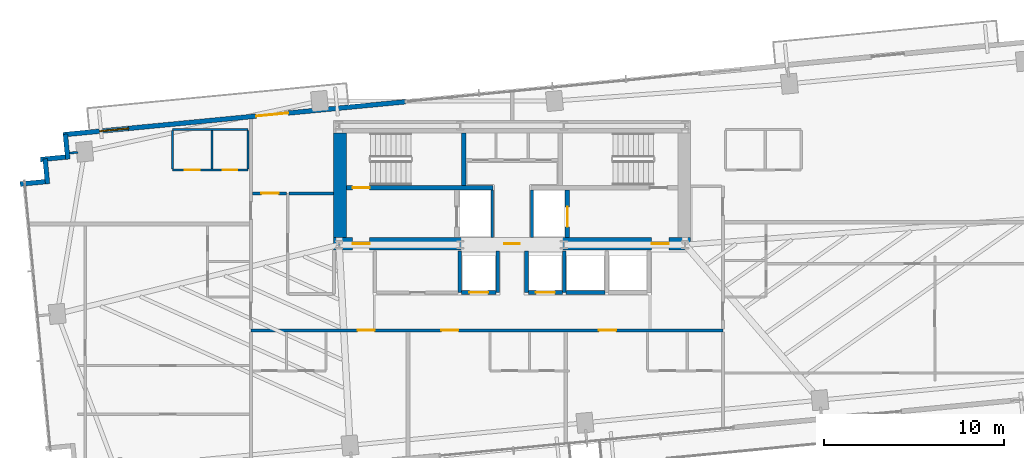
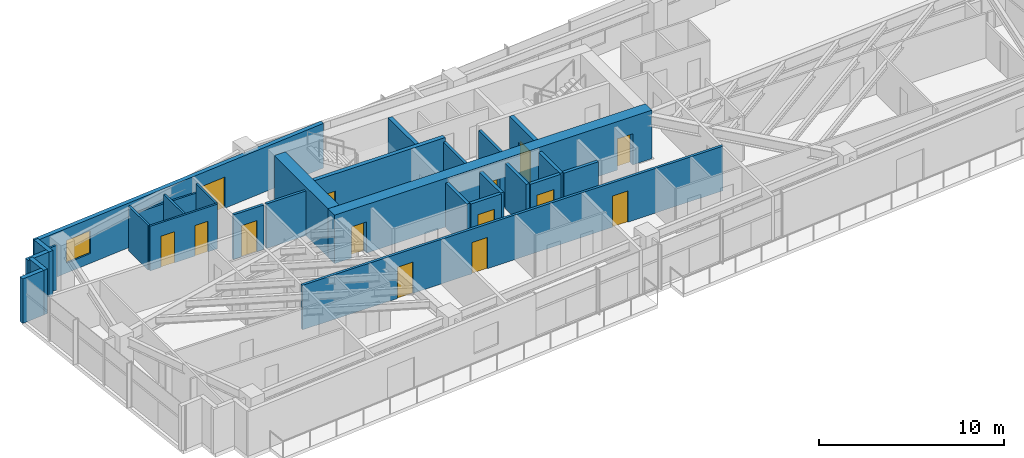
# One storey, part 22 of 27: 28 walls, 14 doors, 1 window, 15 openings.
"""IFC4 building model written with IfcOpenShell, lengths in metres."""

from ifc_helpers import new_model, si_unit, direction, frame, frame_2d, origin, place, context, subcontext, project, spatial, rectangle, extrude, source, transform, mapped, material, layer, layer_set, type_object, type_shapes, element, fill, save


model = new_model("IFC4")

# Units and contexts
model_context = context("Model", 3, precision=1e-05, world=origin(), true_north=direction((0.0, 1.0)))
body_context = subcontext(model_context, "Body", "Model", "MODEL_VIEW")
ifc_project = project(units=[si_unit("LENGTHUNIT", "METRE"), si_unit("AREAUNIT", "SQUARE_METRE"), si_unit("VOLUMEUNIT", "CUBIC_METRE"), si_unit("PLANEANGLEUNIT", "RADIAN"), si_unit("MASSUNIT", "GRAM", prefix="KILO")], contexts=[model_context])

# Site, building, storey
site_placement = place(None, origin())
site = spatial("IfcSite", under=ifc_project, at=site_placement, CompositionType="ELEMENT")
building_placement = place(site_placement, origin())
building = spatial("IfcBuilding", under=site, at=building_placement, Name="Astriad Promenade Condominiums", CompositionType="ELEMENT")
storey_placement = place(building_placement, frame((0.0, 0.0, 109.800048828125)))
storey = spatial("IfcBuildingStorey", under=building, at=storey_placement, Name="L31", CompositionType="ELEMENT", Elevation=109.800048828125)

# Wall, openings, doors
ifc_material_1 = material(Name="Concrete C60/75", Category="concrete")
ifc_layer_1 = layer(ifc_material_1, 0.699951171875)
ifc_layer_set_1 = layer_set([ifc_layer_1], Name="Concrete C60/75")
wall_type_1 = type_object("IfcWallType", Name="CW-SHEAR-700", PredefinedType="SHEAR", material=ifc_layer_set_1)
wall_1_placement = place(storey_placement, frame((26.10009765625, 17.449951171875, 0.0), z_axis=(0.0, 0.0, 1.0), x_axis=(1.0, 0.0, 0.0)))
wall_1 = element("IfcWall", 1, at=wall_1_placement, inside=storey, type_object=wall_type_1, Name="CW-CORE-S-L31", PredefinedType="SHEAR", context=body_context, shape_type="SweptSolid", body=[
    extrude(rectangle(XDim=19.7998046875, YDim=0.699951171875, at=frame_2d((9.89990234375, 0.0))), origin(), (0.0, 0.0, 1.0), 3.199951171875),
])
opening_1_placement = place(wall_1_placement, frame((1.050048828125, 0.0, 0.0)))
opening_1 = element("IfcOpeningElement", 2, at=opening_1_placement, cuts=wall_1, Name="Opening FD90-ST-095", PredefinedType="OPENING", context=body_context, shape_type="SweptSolid", body=[
    extrude(rectangle(XDim=0.949951171875, YDim=2.06005859375, at=frame_2d((0.47509765625, 1.030029296875))), frame((0.0, 0.35986328125, 0.0), z_axis=(0.0, -1.0, 0.0), x_axis=(1.0, 0.0, 0.0)), (0.0, 0.0, 1.0), 0.719970703125),
])
opening_2_placement = place(wall_1_placement, frame((9.47998046875, 0.0, 0.0)))
opening_2 = element("IfcOpeningElement", 3, at=opening_2_placement, cuts=wall_1, Name="Opening FD60-ULOW-085", PredefinedType="OPENING", context=body_context, shape_type="SweptSolid", body=[
    extrude(rectangle(XDim=0.85009765625, YDim=2.0, at=frame_2d((0.425048828125, 1.0))), frame((0.0, 0.35986328125, 0.0), z_axis=(0.0, -1.0, 0.0), x_axis=(1.0, 0.0, 0.0)), (0.0, 0.0, 1.0), 0.719970703125),
])
opening_3_placement = place(wall_1_placement, frame((17.64990234375, 0.0, 0.0)))
opening_3 = element("IfcOpeningElement", 4, at=opening_3_placement, cuts=wall_1, Name="Opening FD90-ST-095", PredefinedType="OPENING", context=body_context, shape_type="SweptSolid", body=[
    extrude(rectangle(XDim=0.949951171875, YDim=2.06005859375, at=frame_2d((0.47509765625, 1.030029296875))), frame((0.0, 0.35986328125, 0.0), z_axis=(0.0, -1.0, 0.0), x_axis=(1.0, 0.0, 0.0)), (0.0, 0.0, 1.0), 0.719970703125),
])
ifc_material_2 = material(Name="Fire-Rated Hollow Metal Stair Door")
door_type_1 = type_object("IfcDoorType", Name="FD90-ST-095", OperationType="NOTDEFINED", PredefinedType="DOOR", material=ifc_material_2)
shared_shape_1 = source(origin(), body_context, "Body", "SweptSolid", [
    extrude(rectangle(XDim=0.949951171875, YDim=2.06005859375, at=frame_2d((0.47509765625, 1.030029296875))), frame((0.0, 0.02490234375, 0.0), z_axis=(0.0, -1.0, 0.0), x_axis=(1.0, 0.0, 0.0)), (0.0, 0.0, 1.0), 0.050048828125),
])
type_shapes(door_type_1, [shared_shape_1])
door_1_placement = place(opening_1_placement, origin())
door_1 = element("IfcDoor", 5, at=door_1_placement, inside=storey, type_object=door_type_1, Name="D-FFW-L31", OperationType="SINGLE_SWING_LEFT", OverallHeight=2.06005859375, OverallWidth=0.949951171875, PredefinedType="DOOR", context=body_context, shape_type="MappedRepresentation", body=[
    mapped(shared_shape_1, transform((0.0, 0.0, 0.0), scale=1.0)),
])
fill(opening_1, door_1)
door_2_placement = place(opening_3_placement, origin())
door_2 = element("IfcDoor", 6, at=door_2_placement, inside=storey, type_object=door_type_1, Name="D-FFE-L31", OperationType="SINGLE_SWING_RIGHT", OverallHeight=2.06005859375, OverallWidth=0.949951171875, PredefinedType="DOOR", context=body_context, shape_type="MappedRepresentation", body=[
    mapped(shared_shape_1, transform((0.0, 0.0, 0.0), scale=1.0)),
])
fill(opening_3, door_2)
ifc_material_3 = material(Name="Solid-Core Low-Headroom Fire Door")
door_type_2 = type_object("IfcDoorType", Name="FD60-ULOW-085", OperationType="NOTDEFINED", PredefinedType="DOOR", material=ifc_material_3)
shared_shape_2 = source(origin(), body_context, "Body", "SweptSolid", [
    extrude(rectangle(XDim=0.85009765625, YDim=2.0, at=frame_2d((0.425048828125, 1.0))), frame((0.0, 0.02490234375, 0.0), z_axis=(0.0, -1.0, 0.0), x_axis=(1.0, 0.0, 0.0)), (0.0, 0.0, 1.0), 0.050048828125),
])
type_shapes(door_type_2, [shared_shape_2])
door_3_placement = place(opening_2_placement, origin())
door_3 = element("IfcDoor", 7, at=door_3_placement, inside=storey, type_object=door_type_2, Name="D-CSL-L31", OperationType="SINGLE_SWING_RIGHT", OverallHeight=2.0, OverallWidth=0.85009765625, PredefinedType="DOOR", context=body_context, shape_type="MappedRepresentation", body=[
    mapped(shared_shape_2, transform((0.0, 0.0, 0.0), scale=1.0)),
])
fill(opening_2, door_3)

# Wall
wall_2_placement = place(storey_placement, frame((26.449951171875, 17.802001953125, 0.0), z_axis=(0.0, 0.0, 1.0), x_axis=(0.0, 1.0, 0.0)))
element("IfcWall", 8, at=wall_2_placement, inside=storey, type_object=wall_type_1, Name="CW-CORE-W-L31", PredefinedType="SHEAR", context=body_context, shape_type="SweptSolid", body=[
    extrude(rectangle(XDim=5.7958984375, YDim=0.699951171875, at=frame_2d((2.89794921875, 0.0))), origin(), (0.0, 0.0, 1.0), 3.199951171875),
])

# Wall, opening, door
ifc_material_4 = material(Name="Concrete C50/60", Category="concrete")
ifc_layer_2 = layer(ifc_material_4, 0.25)
ifc_layer_set_2 = layer_set([ifc_layer_2], Name="Concrete C50/60")
wall_type_2 = type_object("IfcWallType", Name="WALL-CORE-INT-250", PredefinedType="SOLIDWALL", material=ifc_layer_set_2)
wall_3_placement = place(storey_placement, frame((26.802001953125, 20.574951171875, 0.0), z_axis=(0.0, 0.0, 1.0), x_axis=(1.0, 0.0, 0.0)))
wall_3 = element("IfcWall", 9, at=wall_3_placement, inside=storey, type_object=wall_type_2, Name="CW-INT-H1-L31", PredefinedType="SOLIDWALL", context=body_context, shape_type="SweptSolid", body=[
    extrude(rectangle(XDim=8.14794921875, YDim=0.25, at=frame_2d((4.073974609375, 0.0))), origin(), (0.0, 0.0, 1.0), 3.199951171875),
])
opening_4_placement = place(wall_3_placement, frame((0.347900390625, 0.0, 0.0)))
opening_4 = element("IfcOpeningElement", 10, at=opening_4_placement, cuts=wall_3, Name="Opening FD90-ST-095", PredefinedType="OPENING", context=body_context, shape_type="SweptSolid", body=[
    extrude(rectangle(XDim=0.949951171875, YDim=2.06005859375, at=frame_2d((0.47509765625, 1.030029296875))), frame((0.0, 0.135009765625, 0.0), z_axis=(0.0, -1.0, 0.0), x_axis=(1.0, 0.0, 0.0)), (0.0, 0.0, 1.0), 0.27001953125),
])
door_4_placement = place(opening_4_placement, origin())
door_4 = element("IfcDoor", 11, at=door_4_placement, inside=storey, type_object=door_type_1, Name="D-ST1-L31", OperationType="SINGLE_SWING_RIGHT", OverallHeight=2.06005859375, OverallWidth=0.949951171875, PredefinedType="DOOR", context=body_context, shape_type="MappedRepresentation", body=[
    mapped(shared_shape_1, transform((0.0, 0.0, 0.0), scale=1.0)),
])
fill(opening_4, door_4)

# Wall
wall_4_placement = place(storey_placement, frame((33.324951171875, 20.701904296875, 0.0), z_axis=(0.0, 0.0, 1.0), x_axis=(0.0, 1.0, 0.0)))
element("IfcWall", 12, at=wall_4_placement, inside=storey, type_object=wall_type_2, Name="CW-ST1-E-L31", PredefinedType="SOLIDWALL", context=body_context, shape_type="SweptSolid", body=[
    extrude(rectangle(XDim=2.89599609375, YDim=0.25, at=frame_2d((1.447998046875, 0.0))), origin(), (0.0, 0.0, 1.0), 3.199951171875),
])

# Wall, opening, door
wall_5_placement = place(storey_placement, frame((39.074951171875, 17.802001953125, 0.0), z_axis=(0.0, 0.0, 1.0), x_axis=(0.0, 1.0, 0.0)))
wall_5 = element("IfcWall", 13, at=wall_5_placement, inside=storey, type_object=wall_type_2, Name="CW-FFL2-E-L31", PredefinedType="SOLIDWALL", context=body_context, shape_type="SweptSolid", body=[
    extrude(rectangle(XDim=2.64599609375, YDim=0.25, at=frame_2d((1.322998046875, 0.0))), origin(), (0.0, 0.0, 1.0), 3.199951171875),
])
opening_5_placement = place(wall_5_placement, frame((0.597900390625, 0.0, 0.0)))
opening_5 = element("IfcOpeningElement", 14, at=opening_5_placement, cuts=wall_5, Name="Opening LD-FFL-1122", PredefinedType="OPENING", context=body_context, shape_type="SweptSolid", body=[
    extrude(rectangle(XDim=1.10009765625, YDim=2.080078125, at=frame_2d((0.550048828125, 1.0400390625))), frame((0.0, 0.135009765625, 0.0), z_axis=(0.0, -1.0, 0.0), x_axis=(1.0, 0.0, 0.0)), (0.0, 0.0, 1.0), 0.27001953125),
])
ifc_material_5 = material(Name="Brushed Stainless Steel Fire Elevator Landing Door", Category="steel")
door_type_3 = type_object("IfcDoorType", Name="LD-FFL-1122", OperationType="NOTDEFINED", PredefinedType="DOOR", material=ifc_material_5)
shared_shape_3 = source(origin(), body_context, "Body", "SweptSolid", [
    extrude(rectangle(XDim=1.10009765625, YDim=2.080078125, at=frame_2d((0.550048828125, 1.0400390625))), frame((0.0, 0.02490234375, 0.0), z_axis=(0.0, -1.0, 0.0), x_axis=(1.0, 0.0, 0.0)), (0.0, 0.0, 1.0), 0.050048828125),
])
type_shapes(door_type_3, [shared_shape_3])
door_5_placement = place(opening_5_placement, origin())
door_5 = element("IfcDoor", 15, at=door_5_placement, inside=storey, type_object=door_type_3, Name="Elevator Landing Door FFL-2 (L31)", OperationType="SLIDING_TO_RIGHT", OverallHeight=2.080078125, OverallWidth=1.10009765625, PredefinedType="DOOR", context=body_context, shape_type="MappedRepresentation", body=[
    mapped(shared_shape_3, transform((0.0, 0.0, 0.0), scale=1.0)),
])
fill(opening_5, door_5)

# Walls
ifc_material_6 = material(Name="Fire-Rated Gypsum Partition")
ifc_layer_3 = layer(ifc_material_6, 0.159912109375)
ifc_layer_set_3 = layer_set([ifc_layer_3], Name="Fire-Rated Gypsum Partition")
wall_type_3 = type_object("IfcWallType", Name="WALL-CORR-160", PredefinedType="PARTITIONING", material=ifc_layer_set_3)
for number, where, z_axis, x_axis, name in (
    (16, (34.89990234375, 17.802001953125, 0.0), (0.0, 0.0, 1.0), (0.0, 1.0, 0.0), "CW-FFL1-E-L31"),
    (17, (37.10009765625, 17.802001953125, 0.0), (0.0, 0.0, 1.0), (0.0, 1.0, 0.0), "CW-FFL2-W-L31"),
):
    element("IfcWall", number, at=place(storey_placement, frame(where, z_axis=z_axis, x_axis=x_axis)), inside=storey, type_object=wall_type_3, Name=name, PredefinedType="PARTITIONING", context=body_context, shape_type="SweptSolid", body=[
        extrude(rectangle(XDim=2.64599609375, YDim=0.159912109375, at=frame_2d((1.322998046875, 0.0))), origin(), (0.0, 0.0, 1.0), 2.93994140625),
    ])

# Wall, openings, doors
wall_6_placement = place(storey_placement, frame((21.5, 12.64990234375, 0.0), z_axis=(0.0, 0.0, 1.0), x_axis=(1.0, 0.0, 0.0)))
wall_6 = element("IfcWall", 18, at=wall_6_placement, inside=storey, type_object=wall_type_3, Name="PT-COR-S-L31", PredefinedType="PARTITIONING", context=body_context, shape_type="SweptSolid", body=[
    extrude(rectangle(XDim=26.199951171875, YDim=0.159912109375, at=frame_2d((13.10009765625, 0.0))), origin(), (0.0, 0.0, 1.0), 2.93994140625),
])
opening_6_placement = place(wall_6_placement, frame((5.927001953125, 0.0, 0.0)))
opening_6 = element("IfcOpeningElement", 19, at=opening_6_placement, cuts=wall_6, Name="Opening FD60-APT-095", PredefinedType="OPENING", context=body_context, shape_type="SweptSolid", body=[
    extrude(rectangle(XDim=0.949951171875, YDim=2.06005859375, at=frame_2d((0.47509765625, 1.030029296875))), frame((0.0, 0.08984375, 0.0), z_axis=(0.0, -1.0, 0.0), x_axis=(1.0, 0.0, 0.0)), (0.0, 0.0, 1.0), 0.179931640625),
])
opening_7_placement = place(wall_6_placement, frame((10.574951171875, 0.0, 0.0)))
opening_7 = element("IfcOpeningElement", 20, at=opening_7_placement, cuts=wall_6, Name="Opening FD60-APT-095", PredefinedType="OPENING", context=body_context, shape_type="SweptSolid", body=[
    extrude(rectangle(XDim=0.949951171875, YDim=2.06005859375, at=frame_2d((0.47509765625, 1.030029296875))), frame((0.0, 0.08984375, 0.0), z_axis=(0.0, -1.0, 0.0), x_axis=(1.0, 0.0, 0.0)), (0.0, 0.0, 1.0), 0.179931640625),
])
opening_8_placement = place(wall_6_placement, frame((19.322021484375, 0.0, 0.0)))
opening_8 = element("IfcOpeningElement", 21, at=opening_8_placement, cuts=wall_6, Name="Opening FD60-APT-095", PredefinedType="OPENING", context=body_context, shape_type="SweptSolid", body=[
    extrude(rectangle(XDim=0.949951171875, YDim=2.06005859375, at=frame_2d((0.47509765625, 1.030029296875))), frame((0.0, 0.08984375, 0.0), z_axis=(0.0, -1.0, 0.0), x_axis=(1.0, 0.0, 0.0)), (0.0, 0.0, 1.0), 0.179931640625),
])
ifc_material_7 = material(Name="Solid-Core Acoustic Timber Residence Entry Door", Category="wood")
door_type_4 = type_object("IfcDoorType", Name="FD60-APT-095", OperationType="NOTDEFINED", PredefinedType="DOOR", material=ifc_material_7)
shared_shape_4 = source(origin(), body_context, "Body", "SweptSolid", [
    extrude(rectangle(XDim=0.949951171875, YDim=2.06005859375, at=frame_2d((0.47509765625, 1.030029296875))), frame((0.0, 0.02490234375, 0.0), z_axis=(0.0, -1.0, 0.0), x_axis=(1.0, 0.0, 0.0)), (0.0, 0.0, 1.0), 0.050048828125),
])
type_shapes(door_type_4, [shared_shape_4])
door_6_placement = place(opening_6_placement, origin())
door_6 = element("IfcDoor", 22, at=door_6_placement, inside=storey, type_object=door_type_4, Name="D-ENT-L31-S1", OperationType="SINGLE_SWING_RIGHT", OverallHeight=2.06005859375, OverallWidth=0.949951171875, PredefinedType="DOOR", context=body_context, shape_type="MappedRepresentation", body=[
    mapped(shared_shape_4, transform((0.0, 0.0, 0.0), scale=1.0)),
])
fill(opening_6, door_6)
door_7_placement = place(opening_7_placement, origin())
door_7 = element("IfcDoor", 23, at=door_7_placement, inside=storey, type_object=door_type_4, Name="D-ENT-L31-S2", OperationType="SINGLE_SWING_LEFT", OverallHeight=2.06005859375, OverallWidth=0.949951171875, PredefinedType="DOOR", context=body_context, shape_type="MappedRepresentation", body=[
    mapped(shared_shape_4, transform((0.0, 0.0, 0.0), scale=1.0)),
])
fill(opening_7, door_7)
door_8_placement = place(opening_8_placement, origin())
door_8 = element("IfcDoor", 24, at=door_8_placement, inside=storey, type_object=door_type_4, Name="D-ENT-L31-S3", OperationType="SINGLE_SWING_RIGHT", OverallHeight=2.06005859375, OverallWidth=0.949951171875, PredefinedType="DOOR", context=body_context, shape_type="MappedRepresentation", body=[
    mapped(shared_shape_4, transform((0.0, 0.0, 0.0), scale=1.0)),
])
fill(opening_8, door_8)

# Wall, opening, door
wall_7_placement = place(storey_placement, frame((21.58203125, 20.25, 0.0), z_axis=(0.0, 0.0, 1.0), x_axis=(1.0, 0.0, 0.0)))
wall_7 = element("IfcWall", 25, at=wall_7_placement, inside=storey, type_object=wall_type_3, Name="PT-HK-N-L31", PredefinedType="PARTITIONING", context=body_context, shape_type="SweptSolid", body=[
    extrude(rectangle(XDim=1.885986328125, YDim=0.159912109375, at=frame_2d((0.94287109375, 0.0))), origin(), (0.0, 0.0, 1.0), 2.93994140625),
])
opening_9_placement = place(wall_7_placement, frame((0.508056640625, 0.0, 0.0)))
opening_9 = element("IfcOpeningElement", 26, at=opening_9_placement, cuts=wall_7, Name="Opening FD60-APT-095", PredefinedType="OPENING", context=body_context, shape_type="SweptSolid", body=[
    extrude(rectangle(XDim=0.949951171875, YDim=2.06005859375, at=frame_2d((0.47509765625, 1.030029296875))), frame((0.0, 0.08984375, 0.0), z_axis=(0.0, -1.0, 0.0), x_axis=(1.0, 0.0, 0.0)), (0.0, 0.0, 1.0), 0.179931640625),
])
door_9_placement = place(opening_9_placement, origin())
door_9 = element("IfcDoor", 27, at=door_9_placement, inside=storey, type_object=door_type_4, Name="D-HKB-L31", OperationType="SINGLE_SWING_LEFT", OverallHeight=2.06005859375, OverallWidth=0.949951171875, PredefinedType="DOOR", context=body_context, shape_type="MappedRepresentation", body=[
    mapped(shared_shape_4, transform((0.0, 0.0, 0.0), scale=1.0)),
])
fill(opening_9, door_9)

# Walls
wall_8_placement = place(storey_placement, frame((23.632080078125, 20.25, 0.0), z_axis=(0.0, 0.0, 1.0), x_axis=(1.0, 0.0, 0.0)))
element("IfcWall", 28, at=wall_8_placement, inside=storey, type_object=wall_type_3, Name="PT-HK-N-L31-S2", PredefinedType="PARTITIONING", context=body_context, shape_type="SweptSolid", body=[
    extrude(rectangle(XDim=2.4658203125, YDim=0.159912109375, at=frame_2d((1.23291015625, 0.0))), origin(), (0.0, 0.0, 1.0), 2.93994140625),
])
ifc_material_8 = material(Name="Precast concrete C50/60", Category="concrete")
ifc_layer_4 = layer(ifc_material_8, 0.260009765625)
ifc_layer_set_4 = layer_set([ifc_layer_4], Name="Precast concrete C50/60")
wall_type_4 = type_object("IfcWallType", Name="WALL-EXT-TWR-260", PredefinedType="STANDARD", material=ifc_layer_set_4)
for number, where, z_axis, x_axis, name in (
    (29, (8.701416015625, 20.767333984375, 0.0), (0.0, 0.0, 1.0), (0.995391056452, 0.09589913835, 0.0), "W-SER-L31-04"),
    (30, (10.216796875, 20.78271484375, 0.0), (0.0, 0.0, 1.0), (-0.095725744959, 0.99540774648, 0.0), "W-SER-L31-05"),
):
    element("IfcWall", number, at=place(storey_placement, frame(where, z_axis=z_axis, x_axis=x_axis)), inside=storey, type_object=wall_type_4, Name=name, PredefinedType="STANDARD", context=body_context, shape_type="SweptSolid", body=[
        extrude(rectangle(XDim=1.39501953125, YDim=0.260009765625, at=frame_2d((0.697509765625, 0.0))), origin(), (0.0, 0.0, 1.0), 2.93994140625),
    ])
wall_9_placement = place(storey_placement, frame((9.825927734375, 22.13134765625, 0.0), z_axis=(0.0, 0.0, 1.0), x_axis=(0.995389446633, 0.095915846097, 0.0)))
element("IfcWall", 31, at=wall_9_placement, inside=storey, type_object=wall_type_4, Name="W-SER-L31-06", PredefinedType="STANDARD", context=body_context, shape_type="SweptSolid", body=[
    extrude(rectangle(XDim=1.394775390625, YDim=0.260009765625, at=frame_2d((0.697265625, 0.0))), origin(), (0.0, 0.0, 1.0), 2.93994140625),
])
wall_10_placement = place(storey_placement, frame((11.34130859375, 22.146728515625, 0.0), z_axis=(0.0, 0.0, 1.0), x_axis=(-0.09589913835, 0.995391056452, 0.0)))
element("IfcWall", 32, at=wall_10_placement, inside=storey, type_object=wall_type_4, Name="W-SER-L31-07", PredefinedType="STANDARD", context=body_context, shape_type="SweptSolid", body=[
    extrude(rectangle(XDim=1.39501953125, YDim=0.260009765625, at=frame_2d((0.697509765625, 0.0))), origin(), (0.0, 0.0, 1.0), 2.93994140625),
])

# Wall, openings, door, window
wall_11_placement = place(storey_placement, frame((11.07958984375, 23.508056640625, 0.0), z_axis=(0.0, 0.0, 1.0), x_axis=(0.995396638587, 0.095841180552, 0.0)))
wall_11 = element("IfcWall", 33, at=wall_11_placement, inside=storey, type_object=wall_type_4, Name="W-EXT-L31-N1", PredefinedType="STANDARD", context=body_context, shape_type="SweptSolid", body=[
    extrude(rectangle(XDim=19.110107421875, YDim=0.260009765625, at=frame_2d((9.55517578125, 0.0))), origin(), (0.0, 0.0, 1.0), 2.93994140625),
])
opening_10_placement = place(wall_11_placement, frame((10.763916015625, 0.0, 0.0)))
opening_10 = element("IfcOpeningElement", 34, at=opening_10_placement, cuts=wall_11, Name="Opening BD-1822-SLD", PredefinedType="OPENING", context=body_context, shape_type="SweptSolid", body=[
    extrude(rectangle(XDim=1.800048828125, YDim=2.06005859375, at=frame_2d((0.89990234375, 1.030029296875))), frame((0.0, 0.139892578125, 0.0), z_axis=(0.0, -1.0, 0.0), x_axis=(1.0, 0.0, 0.0)), (0.0, 0.0, 1.0), 0.280029296875),
])
opening_11_placement = place(wall_11_placement, frame((2.050048828125, 0.0, 0.64990234375)))
opening_11 = element("IfcOpeningElement", 35, at=opening_11_placement, cuts=wall_11, Name="Opening WIN-TWR-1620", PredefinedType="OPENING", context=body_context, shape_type="SweptSolid", body=[
    extrude(rectangle(XDim=1.60009765625, YDim=1.5, at=frame_2d((0.800048828125, 0.75))), frame((0.0, 0.139892578125, 0.0), z_axis=(0.0, -1.0, 0.0), x_axis=(1.0, 0.0, 0.0)), (0.0, 0.0, 1.0), 0.280029296875),
])
ifc_material_9 = material(Name="Thermally Broken Aluminium Sliding Balcony Door", Category="aluminium")
door_type_5 = type_object("IfcDoorType", Name="BD-1822-SLD", OperationType="NOTDEFINED", PredefinedType="DOOR", material=ifc_material_9)
shared_shape_5 = source(origin(), body_context, "Body", "SweptSolid", [
    extrude(rectangle(XDim=1.800048828125, YDim=2.06005859375, at=frame_2d((0.89990234375, 1.030029296875))), frame((0.0, 0.02490234375, 0.0), z_axis=(0.0, -1.0, 0.0), x_axis=(1.0, 0.0, 0.0)), (0.0, 0.0, 1.0), 0.050048828125),
])
type_shapes(door_type_5, [shared_shape_5])
door_10_placement = place(opening_10_placement, origin())
door_10 = element("IfcDoor", 36, at=door_10_placement, inside=storey, type_object=door_type_5, Name="BD-L31-NW", OperationType="SLIDING_TO_LEFT", OverallHeight=2.06005859375, OverallWidth=1.800048828125, PredefinedType="DOOR", context=body_context, shape_type="MappedRepresentation", body=[
    mapped(shared_shape_5, transform((0.0, 0.0, 0.0), scale=1.0)),
])
fill(opening_10, door_10)
ifc_material_10 = material(Name="Dark Tinted Triple-Glazed Aluminium Window", Category="aluminium")
window_type = type_object("IfcWindowType", Name="WIN-TWR-1620", PartitioningType="SINGLE_PANEL", PredefinedType="WINDOW", material=ifc_material_10)
shared_shape_6 = source(origin(), body_context, "Body", "SweptSolid", [
    extrude(rectangle(XDim=1.60009765625, YDim=1.5, at=frame_2d((0.800048828125, 0.75))), frame((0.0, 0.030029296875, 0.0), z_axis=(0.0, -1.0, 0.0), x_axis=(1.0, 0.0, 0.0)), (0.0, 0.0, 1.0), 0.06005859375),
])
type_shapes(window_type, [shared_shape_6])
window_placement = place(opening_11_placement, origin())
window = element("IfcWindow", 37, at=window_placement, inside=storey, type_object=window_type, Name="WIN-L31-NW", OverallHeight=1.5, OverallWidth=1.60009765625, PartitioningType="SINGLE_PANEL", PredefinedType="WINDOW", context=body_context, shape_type="MappedRepresentation", body=[
    mapped(shared_shape_6, transform((0.0, 0.0, 0.0), scale=1.0)),
])
fill(opening_11, window)

# Wall, openings, doors
ifc_material_11 = material(Name="Acoustic Metal-Stud Gypsum Partition")
ifc_layer_5 = layer(ifc_material_11, 0.1201171875)
ifc_layer_set_5 = layer_set([ifc_layer_5], Name="Acoustic Metal-Stud Gypsum Partition")
wall_type_5 = type_object("IfcWallType", Name="WALL-PART-120", PredefinedType="PARTITIONING", material=ifc_layer_set_5)
wall_12_placement = place(storey_placement, frame((17.14990234375, 21.550048828125, 0.0), z_axis=(0.0, 0.0, 1.0), x_axis=(1.0, 0.0, 0.0)))
wall_12 = element("IfcWall", 38, at=wall_12_placement, inside=storey, type_object=wall_type_5, Name="PT-L31-W2-PH", PredefinedType="PARTITIONING", context=body_context, shape_type="SweptSolid", body=[
    extrude(rectangle(XDim=4.2001953125, YDim=0.1201171875, at=frame_2d((2.10009765625, 0.0))), origin(), (0.0, 0.0, 1.0), 2.93994140625),
])
opening_12_placement = place(wall_12_placement, frame((0.675048828125, 0.0, 0.0)))
opening_12 = element("IfcOpeningElement", 39, at=opening_12_placement, cuts=wall_12, Name="Opening D-INT-085", PredefinedType="OPENING", context=body_context, shape_type="SweptSolid", body=[
    extrude(rectangle(XDim=0.85009765625, YDim=2.050048828125, at=frame_2d((0.425048828125, 1.02490234375))), frame((0.0, 0.070068359375, 0.0), z_axis=(0.0, -1.0, 0.0), x_axis=(1.0, 0.0, 0.0)), (0.0, 0.0, 1.0), 0.14013671875),
])
opening_13_placement = place(wall_12_placement, frame((2.800048828125, 0.0, 0.0)))
opening_13 = element("IfcOpeningElement", 40, at=opening_13_placement, cuts=wall_12, Name="Opening D-WET-080", PredefinedType="OPENING", context=body_context, shape_type="SweptSolid", body=[
    extrude(rectangle(XDim=0.800048828125, YDim=2.02001953125, at=frame_2d((0.39990234375, 1.010009765625))), frame((0.0, 0.070068359375, 0.0), z_axis=(0.0, -1.0, 0.0), x_axis=(1.0, 0.0, 0.0)), (0.0, 0.0, 1.0), 0.14013671875),
])
ifc_material_12 = material(Name="Moisture-Resistant Timber Bathroom Door", Category="wood")
door_type_6 = type_object("IfcDoorType", Name="D-WET-080", OperationType="NOTDEFINED", PredefinedType="DOOR", material=ifc_material_12)
shared_shape_7 = source(origin(), body_context, "Body", "SweptSolid", [
    extrude(rectangle(XDim=0.800048828125, YDim=2.02001953125, at=frame_2d((0.39990234375, 1.010009765625))), frame((0.0, 0.02490234375, 0.0), z_axis=(0.0, -1.0, 0.0), x_axis=(1.0, 0.0, 0.0)), (0.0, 0.0, 1.0), 0.050048828125),
])
type_shapes(door_type_6, [shared_shape_7])
door_11_placement = place(opening_13_placement, origin())
door_11 = element("IfcDoor", 41, at=door_11_placement, inside=storey, type_object=door_type_6, Name="D-BTH-L31-W2", OperationType="SINGLE_SWING_LEFT", OverallHeight=2.02001953125, OverallWidth=0.800048828125, PredefinedType="DOOR", context=body_context, shape_type="MappedRepresentation", body=[
    mapped(shared_shape_7, transform((0.0, 0.0, 0.0), scale=1.0)),
])
fill(opening_13, door_11)
ifc_material_13 = material(Name="Painted Solid-Core Timber Room Door", Category="wood")
door_type_7 = type_object("IfcDoorType", Name="D-INT-085", OperationType="NOTDEFINED", PredefinedType="DOOR", material=ifc_material_13)
shared_shape_8 = source(origin(), body_context, "Body", "SweptSolid", [
    extrude(rectangle(XDim=0.85009765625, YDim=2.050048828125, at=frame_2d((0.425048828125, 1.02490234375))), frame((0.0, 0.02490234375, 0.0), z_axis=(0.0, -1.0, 0.0), x_axis=(1.0, 0.0, 0.0)), (0.0, 0.0, 1.0), 0.050048828125),
])
type_shapes(door_type_7, [shared_shape_8])
door_12_placement = place(opening_12_placement, origin())
door_12 = element("IfcDoor", 42, at=door_12_placement, inside=storey, type_object=door_type_7, Name="D-KIT-L31-W2", OperationType="SINGLE_SWING_RIGHT", OverallHeight=2.050048828125, OverallWidth=0.85009765625, PredefinedType="DOOR", context=body_context, shape_type="MappedRepresentation", body=[
    mapped(shared_shape_8, transform((0.0, 0.0, 0.0), scale=1.0)),
])
fill(opening_12, door_12)

# Walls
wall_13_placement = place(storey_placement, frame((17.14990234375, 23.800048828125, 0.0), z_axis=(0.0, 0.0, 1.0), x_axis=(1.0, 0.0, 0.0)))
element("IfcWall", 43, at=wall_13_placement, inside=storey, type_object=wall_type_5, Name="PT-L31-W2-PHN", PredefinedType="PARTITIONING", context=body_context, shape_type="SweptSolid", body=[
    extrude(rectangle(XDim=4.2001953125, YDim=0.1201171875, at=frame_2d((2.10009765625, 0.0))), origin(), (0.0, 0.0, 1.0), 2.309814453125),
])
for number, where, z_axis, x_axis, name in (
    (44, (17.14990234375, 21.612060546875, 0.0), (0.0, 0.0, 1.0), (0.0, 1.0, 0.0), "PT-L31-W2-PK1"),
    (45, (19.35009765625, 21.612060546875, 0.0), (0.0, 0.0, 1.0), (0.0, 1.0, 0.0), "PT-L31-W2-PK2"),
    (46, (21.35009765625, 21.612060546875, 0.0), (0.0, 0.0, 1.0), (0.0, 1.0, 0.0), "PT-L31-W2-PK3"),
):
    element("IfcWall", number, at=place(storey_placement, frame(where, z_axis=z_axis, x_axis=x_axis)), inside=storey, type_object=wall_type_5, Name=name, PredefinedType="PARTITIONING", context=body_context, shape_type="SweptSolid", body=[
        extrude(rectangle(XDim=2.1259765625, YDim=0.1201171875, at=frame_2d((1.06298828125, 0.0))), origin(), (0.0, 0.0, 1.0), 2.93994140625),
    ])
wall_14_placement = place(storey_placement, frame((11.89697265625, 22.53173828125, 0.0), z_axis=(0.0, 0.0, 1.0), x_axis=(-0.995384576284, -0.09596637586, 0.0)))
element("IfcWall", 47, at=wall_14_placement, inside=storey, type_object=wall_type_5, Name="PT-PIL-L31-PC06-13", PredefinedType="PARTITIONING", context=body_context, shape_type="SweptSolid", body=[
    extrude(rectangle(XDim=0.4580078125, YDim=0.1201171875, at=frame_2d((0.22900390625, 0.0))), origin(), (0.0, 0.0, 1.0), 2.93994140625),
])
ifc_material_14 = material(Name="Gypsum Shaftliner Assembly")
ifc_layer_6 = layer(ifc_material_14, 0.199951171875)
ifc_layer_set_6 = layer_set([ifc_layer_6], Name="Gypsum Shaftliner Assembly")
wall_type_6 = type_object("IfcWallType", Name="WALL-SHAFT-200", PredefinedType="PARTITIONING", material=ifc_layer_set_6)
for number, where, z_axis, x_axis, name in (
    (48, (33.10009765625, 14.75, 0.0), (0.0, 0.0, 1.0), (0.0, 1.0, 0.0), "REC-L-E-L31"),
    (49, (35.199951171875, 14.75, 0.0), (0.0, 0.0, 1.0), (0.0, 1.0, 0.0), "PL-M1-E-L31"),
):
    element("IfcWall", number, at=place(storey_placement, frame(where, z_axis=z_axis, x_axis=x_axis)), inside=storey, type_object=wall_type_6, Name=name, PredefinedType="PARTITIONING", context=body_context, shape_type="SweptSolid", body=[
        extrude(rectangle(XDim=2.300048828125, YDim=0.199951171875, at=frame_2d((1.14990234375, 0.0))), origin(), (0.0, 0.0, 1.0), 2.93994140625),
    ])

# Wall, opening, door
wall_15_placement = place(storey_placement, frame((33.201904296875, 14.75, 0.0), z_axis=(0.0, 0.0, 1.0), x_axis=(1.0, 0.0, 0.0)))
wall_15 = element("IfcWall", 50, at=wall_15_placement, inside=storey, type_object=wall_type_6, Name="PL-M1-F-L31", PredefinedType="PARTITIONING", context=body_context, shape_type="SweptSolid", body=[
    extrude(rectangle(XDim=1.89599609375, YDim=0.199951171875, at=frame_2d((0.947998046875, 0.0))), origin(), (0.0, 0.0, 1.0), 2.93994140625),
])
opening_14_placement = place(wall_15_placement, frame((0.423095703125, 0.0, 0.0)))
opening_14 = element("IfcOpeningElement", 51, at=opening_14_placement, cuts=wall_15, Name="Opening LD-PL-10522", PredefinedType="OPENING", context=body_context, shape_type="SweptSolid", body=[
    extrude(rectangle(XDim=1.050048828125, YDim=2.080078125, at=frame_2d((0.52490234375, 1.0400390625))), frame((0.0, 0.10986328125, 0.0), z_axis=(0.0, -1.0, 0.0), x_axis=(1.0, 0.0, 0.0)), (0.0, 0.0, 1.0), 0.219970703125),
])
ifc_material_15 = material(Name="Brushed Bronze Passenger Elevator Landing Door")
door_type_8 = type_object("IfcDoorType", Name="LD-PL-10522", OperationType="NOTDEFINED", PredefinedType="DOOR", material=ifc_material_15)
shared_shape_9 = source(origin(), body_context, "Body", "SweptSolid", [
    extrude(rectangle(XDim=1.050048828125, YDim=2.080078125, at=frame_2d((0.52490234375, 1.0400390625))), frame((0.0, 0.02490234375, 0.0), z_axis=(0.0, -1.0, 0.0), x_axis=(1.0, 0.0, 0.0)), (0.0, 0.0, 1.0), 0.050048828125),
])
type_shapes(door_type_8, [shared_shape_9])
door_13_placement = place(opening_14_placement, origin())
door_13 = element("IfcDoor", 52, at=door_13_placement, inside=storey, type_object=door_type_8, Name="Elevator Landing Door PL-M1 (L31)", OperationType="SLIDING_TO_LEFT", OverallHeight=2.080078125, OverallWidth=1.050048828125, PredefinedType="DOOR", context=body_context, shape_type="MappedRepresentation", body=[
    mapped(shared_shape_9, transform((0.0, 0.0, 0.0), scale=1.0)),
])
fill(opening_14, door_13)

# Walls
for number, where, z_axis, x_axis, name in (
    (53, (36.800048828125, 14.75, 0.0), (0.0, 0.0, 1.0), (0.0, 1.0, 0.0), "PL-M2-W-L31"),
    (54, (38.89990234375, 14.75, 0.0), (0.0, 0.0, 1.0), (0.0, 1.0, 0.0), "PL-MH-DIV-L31"),
):
    element("IfcWall", number, at=place(storey_placement, frame(where, z_axis=z_axis, x_axis=x_axis)), inside=storey, type_object=wall_type_6, Name=name, PredefinedType="PARTITIONING", context=body_context, shape_type="SweptSolid", body=[
        extrude(rectangle(XDim=2.300048828125, YDim=0.199951171875, at=frame_2d((1.14990234375, 0.0))), origin(), (0.0, 0.0, 1.0), 2.93994140625),
    ])

# Wall, opening, door
wall_16_placement = place(storey_placement, frame((36.902099609375, 14.75, 0.0), z_axis=(0.0, 0.0, 1.0), x_axis=(1.0, 0.0, 0.0)))
wall_16 = element("IfcWall", 55, at=wall_16_placement, inside=storey, type_object=wall_type_6, Name="PL-M2-F-L31", PredefinedType="PARTITIONING", context=body_context, shape_type="SweptSolid", body=[
    extrude(rectangle(XDim=1.89599609375, YDim=0.199951171875, at=frame_2d((0.947998046875, 0.0))), origin(), (0.0, 0.0, 1.0), 2.93994140625),
])
opening_15_placement = place(wall_16_placement, frame((0.423095703125, 0.0, 0.0)))
opening_15 = element("IfcOpeningElement", 56, at=opening_15_placement, cuts=wall_16, Name="Opening LD-PL-10522", PredefinedType="OPENING", context=body_context, shape_type="SweptSolid", body=[
    extrude(rectangle(XDim=1.050048828125, YDim=2.080078125, at=frame_2d((0.52490234375, 1.0400390625))), frame((0.0, 0.10986328125, 0.0), z_axis=(0.0, -1.0, 0.0), x_axis=(1.0, 0.0, 0.0)), (0.0, 0.0, 1.0), 0.219970703125),
])
door_14_placement = place(opening_15_placement, origin())
door_14 = element("IfcDoor", 57, at=door_14_placement, inside=storey, type_object=door_type_8, Name="Elevator Landing Door PL-M2 (L31)", OperationType="SLIDING_TO_RIGHT", OverallHeight=2.080078125, OverallWidth=1.050048828125, PredefinedType="DOOR", context=body_context, shape_type="MappedRepresentation", body=[
    mapped(shared_shape_9, transform((0.0, 0.0, 0.0), scale=1.0)),
])
fill(opening_15, door_14)

# Wall
wall_17_placement = place(storey_placement, frame((39.001953125, 14.75, 0.0), z_axis=(0.0, 0.0, 1.0), x_axis=(1.0, 0.0, 0.0)))
element("IfcWall", 58, at=wall_17_placement, inside=storey, type_object=wall_type_6, Name="PL-H-FRT-L31", PredefinedType="PARTITIONING", context=body_context, shape_type="SweptSolid", body=[
    extrude(rectangle(XDim=2.14599609375, YDim=0.199951171875, at=frame_2d((1.072998046875, 0.0))), origin(), (0.0, 0.0, 1.0), 2.93994140625),
])

save(model, "model.ifc")
